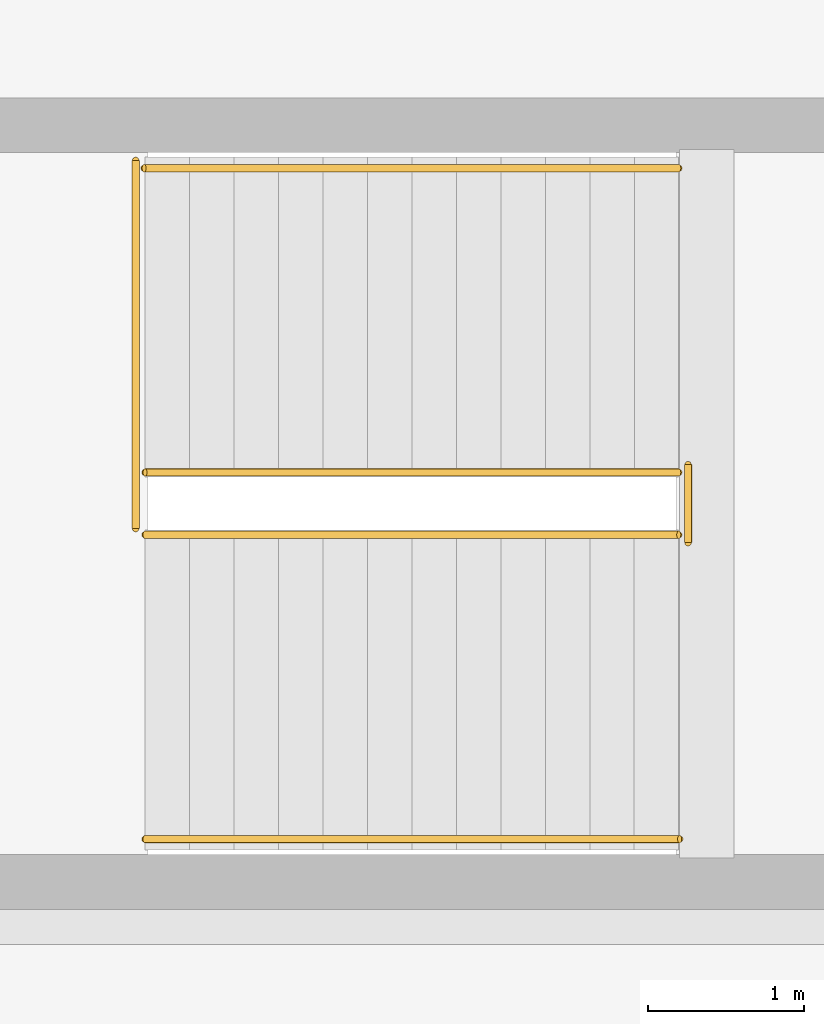
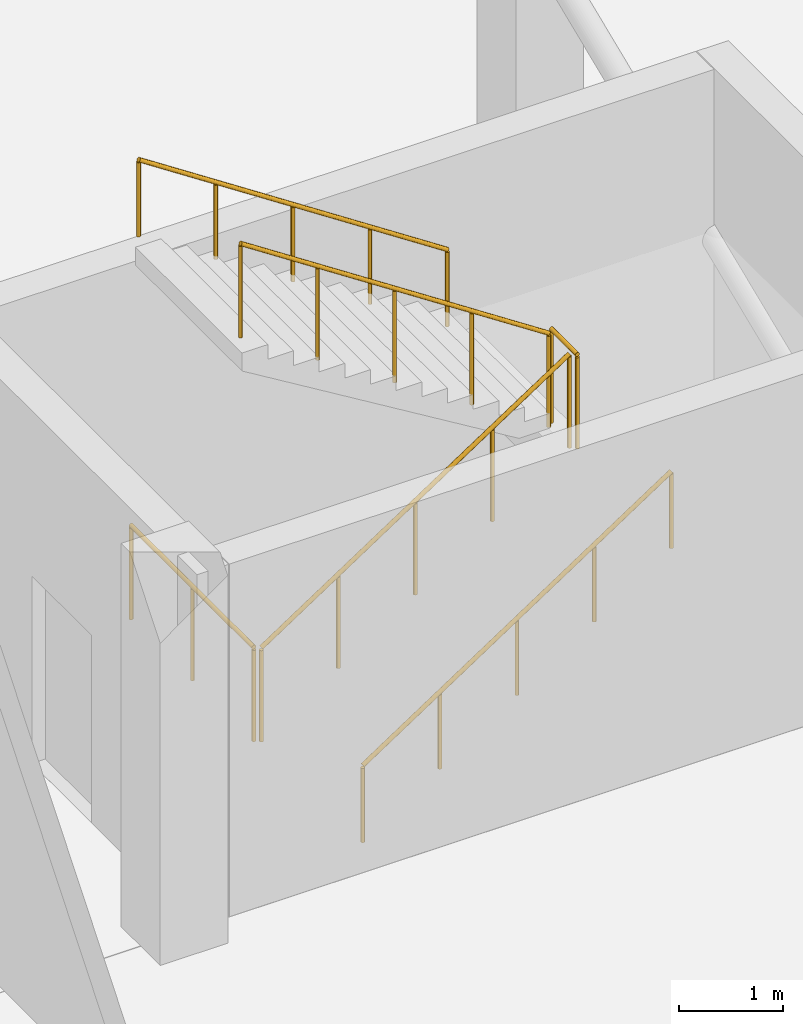
# One storey, part 30 of 31: 6 railings.
"""IFC4 building model written with IfcOpenShell, lengths in metres."""

import ifcopenshell
import ifcopenshell.guid

model = None  # the IFC model being written
_history = None  # IfcOwnerHistory: only IFC2X3 demands one
_inside = {}  # id of a spatial element -> (the spatial element, [elements in it])
_under = {}  # id of a project, library or spatial element -> (it, [spatial elements below it])
_declared = {}  # id of a project -> (the project, [libraries it declares])
_typed = {}  # id of a type object -> (the type object, [elements of that type])
_made_of = {}  # id of a material, layer set ... -> (it, [elements and type objects made of it])


def new_model(schema):
    """Start an empty IFC model of exactly this schema.

    Asked for "IFC4X3", IfcOpenShell would pick the latest addendum, in which some entities
    have other attributes; the version numbers below select the first issue.
    IFC2X3 requires an IfcOwnerHistory on every rooted entity: one is made here for all.
    """
    global model, _history
    if schema == "IFC4X3":
        model = ifcopenshell.file(schema_version=(4, 3, 0, 0))
    else:
        model = ifcopenshell.file(schema=schema)
    _inside.clear()
    _under.clear()
    _declared.clear()
    _typed.clear()
    _made_of.clear()
    _history = None
    if model.schema == "IFC2X3":
        org = make("IfcOrganization", Name="unknown")
        user = make(
            "IfcPersonAndOrganization",
            ThePerson=make("IfcPerson", FamilyName="unknown"),
            TheOrganization=org,
        )
        app = make(
            "IfcApplication",
            ApplicationDeveloper=org,
            Version="unknown",
            ApplicationFullName="unknown",
            ApplicationIdentifier="unknown",
        )
        _history = make(
            "IfcOwnerHistory",
            OwningUser=user,
            OwningApplication=app,
            ChangeAction="ADDED",
            CreationDate=0,
        )
    return model


def make(cls, **values):
    """One entity of the class cls with the attributes given. An attribute that is None is left unset."""
    return model.create_entity(
        cls, **{name: value for name, value in values.items() if value is not None}
    )


def rooted(cls, **values):
    """An entity with a GlobalId (a new one), such as an element, a storey or a relation."""
    return make(cls, GlobalId=ifcopenshell.guid.new(), OwnerHistory=_history, **values)


def si_unit(unit_type, name, prefix=None):
    """IfcSIUnit, for example si_unit("LENGTHUNIT", "METRE", prefix="MILLI")."""
    return make("IfcSIUnit", UnitType=unit_type, Prefix=prefix, Name=name)


def assignment(units):
    """IfcUnitAssignment: the units of a project."""
    return None if units is None else make("IfcUnitAssignment", Units=units)


def point(xyz):
    """IfcCartesianPoint."""
    return None if xyz is None else make("IfcCartesianPoint", Coordinates=xyz)


def direction(xyz):
    """IfcDirection."""
    return None if xyz is None else make("IfcDirection", DirectionRatios=xyz)


def frame(location, z_axis=None, x_axis=None):
    """IfcAxis2Placement3D, a coordinate frame: its origin and axes. An axis left out is left unset."""
    return make(
        "IfcAxis2Placement3D",
        Location=point(location),
        Axis=direction(z_axis),
        RefDirection=direction(x_axis),
    )


def frame_2d(location, x_axis=None):
    """IfcAxis2Placement2D, a coordinate frame in the plane: its origin and x axis."""
    return make(
        "IfcAxis2Placement2D", Location=point(location), RefDirection=direction(x_axis)
    )


def origin():
    """The frame at (0, 0, 0) with its axes left unset."""
    return frame((0.0, 0.0, 0.0))


def origin_2d():
    """The frame at (0, 0) in the plane with its x axis left unset."""
    return frame_2d((0.0, 0.0))


def place(relative_to, where):
    """IfcLocalPlacement: puts the frame where relative to a parent placement (None: the world)."""
    return make(
        "IfcLocalPlacement", PlacementRelTo=relative_to, RelativePlacement=where
    )


def context(
    kind, dimensions, precision=None, world=None, true_north=None, identifier=None
):
    """IfcGeometricRepresentationContext, for example the 3D "Model" context."""
    return make(
        "IfcGeometricRepresentationContext",
        ContextIdentifier=identifier,
        ContextType=kind,
        CoordinateSpaceDimension=dimensions,
        Precision=precision,
        WorldCoordinateSystem=world,
        TrueNorth=true_north,
    )


def subcontext(parent, identifier, kind, view, scale=None):
    """IfcGeometricRepresentationSubContext, for example "Body" below "Model"."""
    return make(
        "IfcGeometricRepresentationSubContext",
        ContextIdentifier=identifier,
        ContextType=kind,
        ParentContext=parent,
        TargetScale=scale,
        TargetView=view,
    )


def project(units=None, contexts=None):
    """IfcProject with its units and contexts."""
    return rooted(
        "IfcProject",
        Name="project",
        RepresentationContexts=contexts,
        UnitsInContext=assignment(units),
    )


def spatial(cls, under=None, at=None, **own):
    """A site, building, storey or space (cls), placed at a placement, below another one or the project."""
    s = rooted(cls, ObjectPlacement=at, **own)
    if under is not None:
        _under.setdefault(under.id(), (under, []))[1].append(s)
    return s


def profile(cls, at=None, kind="AREA", **sizes):
    """A parametric profile (cls). Its sizes go by their IFC names, for example OverallWidth=200.0."""
    return make(cls, ProfileType=kind, Position=at, **sizes)


def circle(**sizes):
    """IfcCircleProfileDef."""
    return profile("IfcCircleProfileDef", **sizes)


def extrude(swept, where, along, depth):
    """IfcExtrudedAreaSolid: the profile swept, set in the frame where, extruded along a direction by depth."""
    return make(
        "IfcExtrudedAreaSolid",
        SweptArea=swept,
        Position=where,
        ExtrudedDirection=direction(along),
        Depth=depth,
    )


def shape(context_of_items, identifier, shape_type, items):
    """IfcShapeRepresentation: the items that make up one representation, for example the "Body"."""
    return make(
        "IfcShapeRepresentation",
        ContextOfItems=context_of_items,
        RepresentationIdentifier=identifier,
        RepresentationType=shape_type,
        Items=items,
    )


def material(Name=None, Category=None):
    """IfcMaterial."""
    return make("IfcMaterial", Name=Name, Category=Category)


def layer(
    of_material, thickness, ventilated=None, Name=None, Category=None, Priority=None
):
    """IfcMaterialLayer: one layer of a wall or slab, of a material (None: an air gap)."""
    return make(
        "IfcMaterialLayer",
        Material=of_material,
        LayerThickness=thickness,
        IsVentilated=ventilated,
        Name=Name,
        Category=Category,
        Priority=Priority,
    )


def layer_set(layers, Name=None):
    """IfcMaterialLayerSet."""
    return make("IfcMaterialLayerSet", MaterialLayers=layers, LayerSetName=Name)


def made_of(thing, what):
    """Note that an element or type object is made of a material, layer set ...; save() writes the relation."""
    if what is not None:
        _made_of.setdefault(what.id(), (what, []))[1].append(thing)
    return thing


def type_object(cls, material=None, **own):
    """A type object (cls), such as IfcWallType, which elements share."""
    return made_of(rooted(cls, **own), material)


def element(
    cls,
    number,
    at=None,
    inside=None,
    cuts=None,
    type_object=None,
    material=None,
    context=None,
    identifier="Body",
    shape_type=None,
    held_by="IfcProductDefinitionShape",
    body=None,
    shapes=None,
    **own,
):
    """One element of the class cls, such as IfcWall. Its Tag is "e" and its number.

    at: its placement. inside: the storey or other place that contains it. cuts: it is an
    opening in that element (IfcRelVoidsElement). A single representation is given by context,
    identifier, shape_type and body (its items); several are given by shapes. held_by: the class
    of the entity that holds the representations. save() writes the other relations.
    """
    e = rooted(cls, Tag="e%d" % number, ObjectPlacement=at, **own)
    if body is not None:
        shapes = [shape(context, identifier, shape_type, body)]
    if shapes is not None:
        e.Representation = make(held_by, Representations=shapes)
    if inside is not None:
        _inside.setdefault(inside.id(), (inside, []))[1].append(e)
    if cuts is not None:
        rooted(
            "IfcRelVoidsElement", RelatingBuildingElement=cuts, RelatedOpeningElement=e
        )
    if type_object is not None:
        _typed.setdefault(type_object.id(), (type_object, []))[1].append(e)
    return made_of(e, material)


def aggregate(whole, parts):
    """IfcRelAggregates: a whole, such as a stair, and the parts it consists of."""
    return rooted("IfcRelAggregates", RelatingObject=whole, RelatedObjects=parts)


def save(model, path):
    """Write the relations noted so far, then the file.

    IfcRelAggregates (storeys below a building ...), IfcRelContainedInSpatialStructure (elements
    in a storey), IfcRelDefinesByType, IfcRelAssociatesMaterial and IfcRelDeclares: one each for
    every whole, place, type object, material and project.
    """
    for whole, parts in _under.values():
        aggregate(whole, parts)
    for where, things in _inside.values():
        rooted(
            "IfcRelContainedInSpatialStructure",
            RelatedElements=things,
            RelatingStructure=where,
        )
    for kind, things in _typed.values():
        rooted("IfcRelDefinesByType", RelatedObjects=things, RelatingType=kind)
    for what, things in _made_of.values():
        rooted("IfcRelAssociatesMaterial", RelatedObjects=things, RelatingMaterial=what)
    for by, libraries in _declared.values():
        rooted("IfcRelDeclares", RelatingContext=by, RelatedDefinitions=libraries)
    model.write(path)


model = new_model("IFC4")

# Units and contexts
model_context = context("Model", 3, precision=1e-05, world=origin(), true_north=direction((0.0, 1.0)))
body_context = subcontext(model_context, "Body", "Model", "MODEL_VIEW")
ifc_project = project(units=[si_unit("LENGTHUNIT", "METRE"), si_unit("AREAUNIT", "SQUARE_METRE"), si_unit("VOLUMEUNIT", "CUBIC_METRE"), si_unit("PLANEANGLEUNIT", "RADIAN"), si_unit("MASSUNIT", "GRAM", prefix="KILO")], contexts=[model_context])

# Site, building, storey
site_placement = place(None, origin())
site = spatial("IfcSite", under=ifc_project, at=site_placement, CompositionType="ELEMENT")
building_placement = place(site_placement, origin())
building = spatial("IfcBuilding", under=site, at=building_placement, Name="Meriwether Solvik Hall", CompositionType="ELEMENT")
storey_placement = place(building_placement, frame((0.0, 0.0, -4.5)))
storey = spatial("IfcBuildingStorey", under=building, at=storey_placement, Name="B01", CompositionType="ELEMENT", Elevation=-4.5)

# Railings
ifc_material_1 = material(Name="Steel A36 Galvanised", Category="steel")
ifc_layer_1 = layer(ifc_material_1, 0.054931640625)
ifc_layer_set_1 = layer_set([ifc_layer_1], Name="Steel A36 Galvanised")
railing_type_1 = type_object("IfcRailingType", Name="RAIL-STR-GUARD", PredefinedType="GUARDRAIL", material=ifc_layer_set_1)
railing_1_placement = place(storey_placement, frame((146.429931640625, 60.75, 2.25)))
element("IfcRailing", 1, at=railing_1_placement, inside=storey, type_object=railing_type_1, Name="Stair ST-05 Landing Guardrail (B01)", PredefinedType="GUARDRAIL", context=body_context, shape_type="SweptSolid", body=[
    extrude(circle(Radius=0.02392578125, at=origin_2d()), frame((0.0, 0.0, 1.09619140625), z_axis=(0.0, 1.0, 0.0), x_axis=(-1.0, 0.0, 0.0)), (0.0, 0.0, 1.0), 0.5),
    extrude(circle(Radius=0.02099609375, at=origin_2d()), origin(), (0.0, 0.0, 1.0), 1.072021484375),
    extrude(circle(Radius=0.02099609375, at=origin_2d()), frame((0.0, 0.5, 0.0)), (0.0, 0.0, 1.0), 1.072021484375),
])
railing_2_placement = place(storey_placement, frame((142.889892578125, 60.840087890625, 0.0)))
element("IfcRailing", 2, at=railing_2_placement, inside=storey, type_object=railing_type_1, Name="Stair ST-05 Well Guardrail (B01)", PredefinedType="GUARDRAIL", context=body_context, shape_type="SweptSolid", body=[
    extrude(circle(Radius=0.02392578125, at=origin_2d()), frame((0.0, 0.0, 1.09619140625), z_axis=(0.0, 1.0, 0.0), x_axis=(-1.0, 0.0, 0.0)), (0.0, 0.0, 1.0), 2.35986328125),
    extrude(circle(Radius=0.02099609375, at=origin_2d()), origin(), (0.0, 0.0, 1.0), 1.072021484375),
    extrude(circle(Radius=0.02099609375, at=origin_2d()), frame((0.0, 1.179931640625, 0.0)), (0.0, 0.0, 1.0), 1.072021484375),
    extrude(circle(Radius=0.02099609375, at=origin_2d()), frame((0.0, 2.35986328125, 0.0)), (0.0, 0.0, 1.0), 1.072021484375),
])
railing_3_placement = place(storey_placement, frame((142.949951171875, 60.800048828125, 0.0)))
element("IfcRailing", 3, at=railing_3_placement, inside=storey, type_object=railing_type_1, Name="Stair ST-05 Flight 1 Inner Guardrail (B01)", PredefinedType="GUARDRAIL", context=body_context, shape_type="SweptSolid", body=[
    extrude(circle(Radius=0.02392578125, at=origin_2d()), frame((0.0, 0.0, 1.09619140625), z_axis=(0.835429331894, 0.0, 0.549597881557), x_axis=(0.0, 1.0, 0.0)), (0.0, 0.0, 1.0), 4.093994140625),
    extrude(circle(Radius=0.02099609375, at=origin_2d()), origin(), (0.0, 0.0, 1.0), 1.072021484375),
    extrude(circle(Radius=0.02099609375, at=origin_2d()), frame((0.85498046875, 0.0, 0.5625)), (0.0, 0.0, 1.0), 1.072021484375),
    extrude(circle(Radius=0.02099609375, at=origin_2d()), frame((1.7099609375, 0.0, 1.125)), (0.0, 0.0, 1.0), 1.072021484375),
    extrude(circle(Radius=0.02099609375, at=origin_2d()), frame((2.565185546875, 0.0, 1.6875)), (0.0, 0.0, 1.0), 1.072021484375),
    extrude(circle(Radius=0.02099609375, at=origin_2d()), frame((3.420166015625, 0.0, 2.25)), (0.0, 0.0, 1.0), 1.072021484375),
])
railing_4_placement = place(storey_placement, frame((146.3701171875, 61.199951171875, 2.25)))
element("IfcRailing", 4, at=railing_4_placement, inside=storey, type_object=railing_type_1, Name="Stair ST-05 Flight 2 Inner Guardrail (B01)", PredefinedType="GUARDRAIL", context=body_context, shape_type="SweptSolid", body=[
    extrude(circle(Radius=0.02392578125, at=origin_2d()), frame((0.0, 0.0, 1.09619140625), z_axis=(-0.835429331894, 0.0, 0.549597881557), x_axis=(0.0, -1.0, 0.0)), (0.0, 0.0, 1.0), 4.093994140625),
    extrude(circle(Radius=0.02099609375, at=origin_2d()), origin(), (0.0, 0.0, 1.0), 1.072021484375),
    extrude(circle(Radius=0.02099609375, at=origin_2d()), frame((-0.85498046875, 0.0, 0.5625)), (0.0, 0.0, 1.0), 1.072021484375),
    extrude(circle(Radius=0.02099609375, at=origin_2d()), frame((-1.7099609375, 0.0, 1.125)), (0.0, 0.0, 1.0), 1.072021484375),
    extrude(circle(Radius=0.02099609375, at=origin_2d()), frame((-2.565185546875, 0.0, 1.6875)), (0.0, 0.0, 1.0), 1.072021484375),
    extrude(circle(Radius=0.02099609375, at=origin_2d()), frame((-3.420166015625, 0.0, 2.25)), (0.0, 0.0, 1.0), 1.072021484375),
])
ifc_material_2 = material(Name="Stainless Steel AISI 316", Category="steel")
ifc_layer_2 = layer(ifc_material_2, 0.044921875)
ifc_layer_set_2 = layer_set([ifc_layer_2], Name="Stainless Steel AISI 316")
railing_type_2 = type_object("IfcRailingType", Name="RAIL-STR-HAND", PredefinedType="HANDRAIL", material=ifc_layer_set_2)
railing_5_placement = place(storey_placement, frame((142.949951171875, 58.85009765625, 0.0)))
element("IfcRailing", 5, at=railing_5_placement, inside=storey, type_object=railing_type_2, Name="Stair ST-05 Lower Handrail (B01)", PredefinedType="HANDRAIL", context=body_context, shape_type="SweptSolid", body=[
    extrude(circle(Radius=0.02392578125, at=origin_2d()), frame((0.0, 0.0, 0.89599609375), z_axis=(0.835423556268, 0.0, 0.549606660833), x_axis=(0.0, 1.0, 0.0)), (0.0, 0.0, 1.0), 4.100830078125),
    extrude(circle(Radius=0.02099609375, at=origin_2d()), origin(), (0.0, 0.0, 1.0), 0.871826171875),
    extrude(circle(Radius=0.02099609375, at=origin_2d()), frame((0.8564453125, 0.0, 0.5634765625)), (0.0, 0.0, 1.0), 0.871826171875),
    extrude(circle(Radius=0.02099609375, at=origin_2d()), frame((1.712890625, 0.0, 1.126953125)), (0.0, 0.0, 1.0), 0.871826171875),
    extrude(circle(Radius=0.02099609375, at=origin_2d()), frame((2.569580078125, 0.0, 1.6904296875)), (0.0, 0.0, 1.0), 0.871826171875),
    extrude(circle(Radius=0.02099609375, at=origin_2d()), frame((3.426025390625, 0.0, 2.25390625)), (0.0, 0.0, 1.0), 0.871826171875),
])
railing_6_placement = place(storey_placement, frame((146.3701171875, 63.14990234375, 2.25)))
element("IfcRailing", 6, at=railing_6_placement, inside=storey, type_object=railing_type_2, Name="Stair ST-05 Upper Handrail (B01)", PredefinedType="HANDRAIL", context=body_context, shape_type="SweptSolid", body=[
    extrude(circle(Radius=0.02392578125, at=origin_2d()), frame((0.0, 0.0, 0.89599609375), z_axis=(-0.835423556268, 0.0, 0.549606660833), x_axis=(0.0, -1.0, 0.0)), (0.0, 0.0, 1.0), 4.100830078125),
    extrude(circle(Radius=0.02099609375, at=origin_2d()), origin(), (0.0, 0.0, 1.0), 0.871826171875),
    extrude(circle(Radius=0.02099609375, at=origin_2d()), frame((-0.8564453125, 0.0, 0.5634765625)), (0.0, 0.0, 1.0), 0.871826171875),
    extrude(circle(Radius=0.02099609375, at=origin_2d()), frame((-1.712890625, 0.0, 1.126953125)), (0.0, 0.0, 1.0), 0.871826171875),
    extrude(circle(Radius=0.02099609375, at=origin_2d()), frame((-2.569580078125, 0.0, 1.6904296875)), (0.0, 0.0, 1.0), 0.871826171875),
    extrude(circle(Radius=0.02099609375, at=origin_2d()), frame((-3.426025390625, 0.0, 2.25390625)), (0.0, 0.0, 1.0), 0.871826171875),
])

save(model, "model.ifc")
